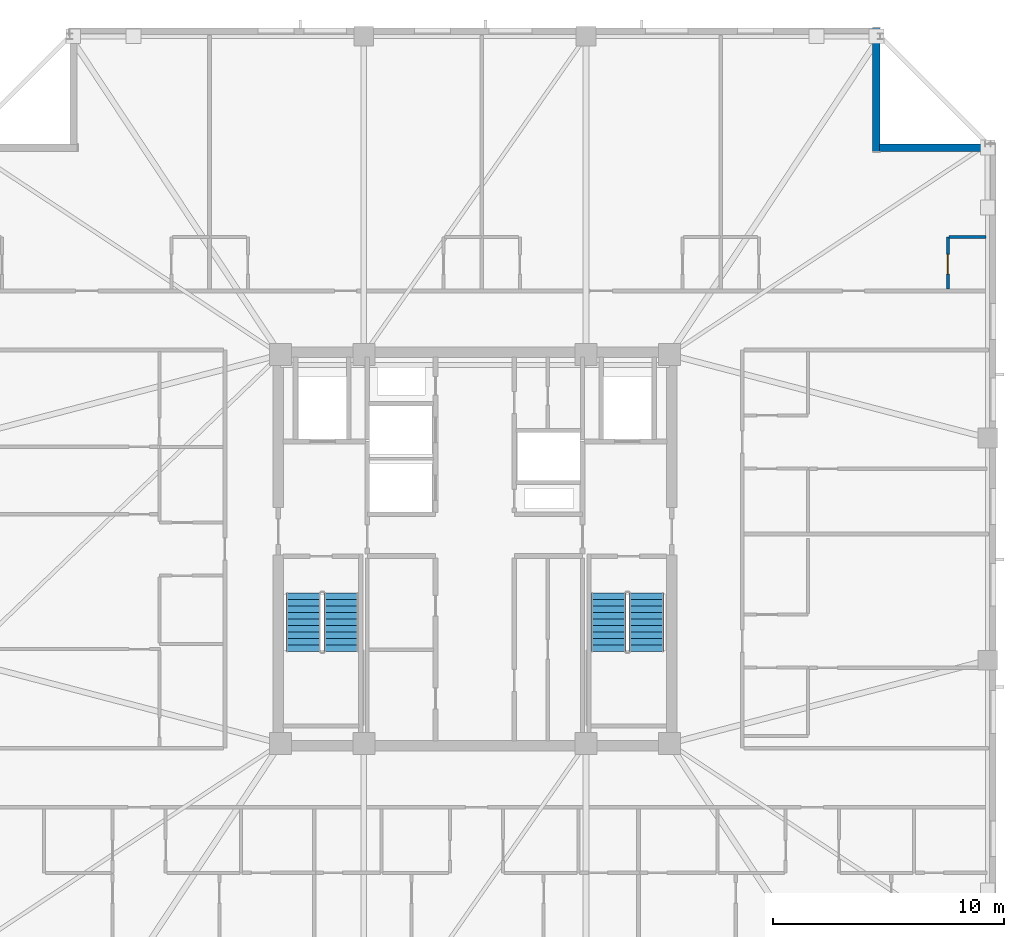
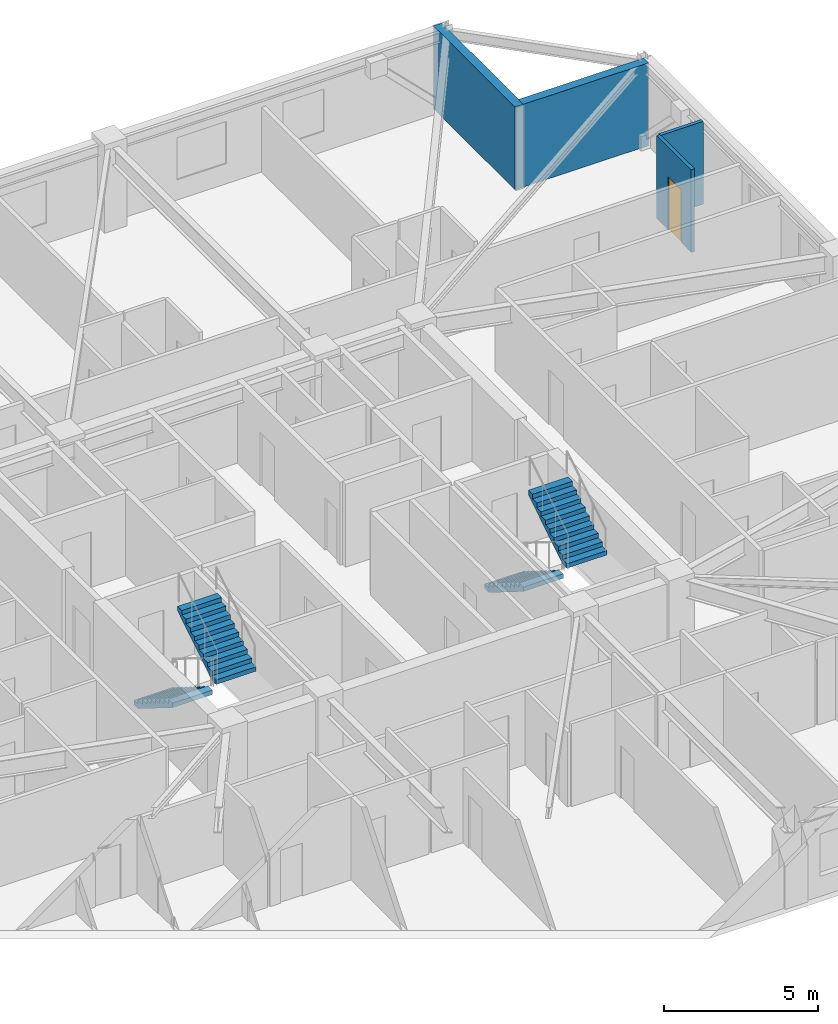
# One storey, part 12 of 17: 4 stair flights, 4 walls, 1 door, 1 opening, 2 elements without a shape of their own.
"""IFC4 building model written with IfcOpenShell, lengths in metres."""

from ifc_helpers import new_model, si_unit, direction, frame, frame_2d, origin, place, context, subcontext, project, spatial, polyline, rectangle, outline, extrude, material, layer, layer_set, type_object, element, fill, aggregate, save


model = new_model("IFC4")

# Units and contexts
model_context = context("Model", 3, precision=1e-05, world=origin(), true_north=direction((0.0, 1.0)))
body_context = subcontext(model_context, "Body", "Model", "MODEL_VIEW")
ifc_project = project(units=[si_unit("LENGTHUNIT", "METRE"), si_unit("AREAUNIT", "SQUARE_METRE"), si_unit("VOLUMEUNIT", "CUBIC_METRE"), si_unit("PLANEANGLEUNIT", "RADIAN"), si_unit("MASSUNIT", "GRAM", prefix="KILO")], contexts=[model_context])

# Site, building, storey
site_placement = place(None, origin())
site = spatial("IfcSite", under=ifc_project, at=site_placement, CompositionType="ELEMENT")
building_placement = place(site_placement, origin())
building = spatial("IfcBuilding", under=site, at=building_placement, Name="Cairnveth Concourse Tower", CompositionType="ELEMENT")
storey_placement = place(building_placement, frame((0.0, 0.0, 258.5)))
storey = spatial("IfcBuildingStorey", under=building, at=storey_placement, Name="L71", CompositionType="ELEMENT", Elevation=258.5)

# Wall, opening, door
ifc_material_1 = material(Name="Gypsum Plasterboard Partition", Category="gypsum")
ifc_layer_1 = layer(ifc_material_1, 0.1298828125)
ifc_layer_set_1 = layer_set([ifc_layer_1], Name="Gypsum Plasterboard Partition")
wall_type_1 = type_object("IfcWallType", Name="WET AREA PARTITION 140", PredefinedType="PLUMBINGWALL", material=ifc_layer_set_1)
wall_1_placement = place(storey_placement, frame((72.429931640625, 50.232421875, 0.0), z_axis=(0.0, 0.0, 1.0), x_axis=(0.0, 1.0, 0.0)))
wall_1 = element("IfcWall", 1, at=wall_1_placement, inside=storey, type_object=wall_type_1, Name="Interior Wall IW-L71-092", PredefinedType="PLUMBINGWALL", context=body_context, shape_type="SweptSolid", body=[
    extrude(rectangle(XDim=2.25, YDim=0.1298828125, at=frame_2d((1.125, 0.0))), origin(), (0.0, 0.0, 1.0), 3.2900390625),
])
opening_placement = place(wall_1_placement, frame((0.64990234375, 0.0, 0.0)))
opening = element("IfcOpeningElement", 2, at=opening_placement, cuts=wall_1, Name="Opening ID20", PredefinedType="OPENING", context=body_context, shape_type="SweptSolid", body=[
    extrude(rectangle(XDim=0.85009765625, YDim=2.10009765625, at=frame_2d((0.425048828125, 1.050048828125))), frame((0.0, 0.074951171875, 0.0), z_axis=(0.0, -1.0, 0.0), x_axis=(1.0, 0.0, 0.0)), (0.0, 0.0, 1.0), 0.14990234375),
])
ifc_material_2 = material(Name="Solid Core Hardwood Timber Leaf", Category="wood")
door_type = type_object("IfcDoorType", Name="INTERIOR SINGLE DOOR 850X2100", OperationType="NOTDEFINED", PredefinedType="DOOR", material=ifc_material_2)
door_placement = place(opening_placement, origin())
door = element("IfcDoor", 3, at=door_placement, inside=storey, type_object=door_type, Name="L71STN4 Kitchen Door", OperationType="SINGLE_SWING_LEFT", OverallHeight=2.10009765625, OverallWidth=0.85009765625, PredefinedType="DOOR", context=body_context, shape_type="SweptSolid", body=[
    extrude(rectangle(XDim=0.85009765625, YDim=2.10009765625, at=frame_2d((0.425048828125, 1.050048828125))), frame((0.0, 0.02490234375, 0.0), z_axis=(0.0, -1.0, 0.0), x_axis=(1.0, 0.0, 0.0)), (0.0, 0.0, 1.0), 0.050048828125),
])
fill(opening, door)

# Walls
wall_2_placement = place(storey_placement, frame((72.47998046875, 52.482421875, 0.0), z_axis=(0.0, 0.0, 1.0), x_axis=(1.0, 0.0, 0.0)))
element("IfcWall", 4, at=wall_2_placement, inside=storey, type_object=wall_type_1, Name="Interior Wall IW-L71-093", PredefinedType="PLUMBINGWALL", context=body_context, shape_type="SweptSolid", body=[
    extrude(rectangle(XDim=1.60009765625, YDim=0.1298828125, at=frame_2d((0.800048828125, 0.0))), origin(), (0.0, 0.0, 1.0), 3.2900390625),
])
ifc_material_3 = material(Name="Melbourne Buff Fired Clay Brick Masonry", Category="masonry")
ifc_layer_2 = layer(ifc_material_3, 0.320068359375)
ifc_layer_set_2 = layer_set([ifc_layer_2], Name="Melbourne Buff Fired Clay Brick Masonry")
wall_type_2 = type_object("IfcWallType", Name="ZONE 3 BRICK PIER SPANDREL WALL 320", PredefinedType="SOLIDWALL", material=ifc_layer_set_2)
wall_3_placement = place(storey_placement, frame((69.340087890625, 61.5, 0.0), z_axis=(0.0, 0.0, 1.0), x_axis=(0.0, -1.0, 0.0)))
element("IfcWall", 5, at=wall_3_placement, inside=storey, type_object=wall_type_2, Name="Exterior Wall EW-L71-S07", PredefinedType="SOLIDWALL", context=body_context, shape_type="SweptSolid", body=[
    extrude(rectangle(XDim=5.320068359375, YDim=0.320068359375, at=frame_2d((2.66015625, 0.0))), origin(), (0.0, 0.0, 1.0), 3.2900390625),
])
wall_4_placement = place(storey_placement, frame((69.47802734375, 56.340087890625, 0.0), z_axis=(0.0, 0.0, 1.0), x_axis=(1.0, 0.0, 0.0)))
element("IfcWall", 6, at=wall_4_placement, inside=storey, type_object=wall_type_2, Name="Exterior Wall EW-L71-S08", PredefinedType="SOLIDWALL", context=body_context, shape_type="SweptSolid", body=[
    extrude(rectangle(XDim=4.723876953125, YDim=0.320068359375, at=frame_2d((2.36181640625, 0.0))), origin(), (0.0, 0.0, 1.0), 3.2900390625),
])

# Stair, stair flights
ifc_material_4 = material(Name="Precast concrete N50 (50 MPa)", Category="concrete")
stair_type = type_object("IfcStairType", Name="CORE DOG-LEG FIRE STAIR 1500", PredefinedType="HALF_TURN_STAIR", material=ifc_material_4)
stair_1_placement = place(storey_placement, origin())
stair_1 = element("IfcStair", 7, at=stair_1_placement, inside=storey, type_object=stair_type, Name="L71 Fire-Isolated Stair ST-1", PredefinedType="HALF_TURN_STAIR")
stair_flight_type = type_object("IfcStairFlightType", Name="PRECAST CONCRETE STAIR FLIGHT 1500", PredefinedType="STRAIGHT", material=ifc_material_4)
stair_flight_1_placement = place(storey_placement, frame((44.590087890625, 37.10009765625, 0.0), z_axis=(0.0, 0.0, 1.0), x_axis=(0.0, -1.0, 0.0)))
stair_flight_1 = element("IfcStairFlight", 8, at=stair_flight_1_placement, type_object=stair_flight_type, Name="ST-1 flight 1", NumberOfRisers=10, NumberOfTreads=9, PredefinedType="STRAIGHT", RiserHeight=0.175, TreadLength=0.28, context=body_context, shape_type="SweptSolid", body=[
    extrude(outline(polyline([(0.0, 0.0), (0.0, 0.175048828125), (0.280029296875, 0.175048828125), (0.280029296875, 0.35009765625), (0.56005859375, 0.35009765625), (0.56005859375, 0.52490234375), (0.840087890625, 0.52490234375), (0.840087890625, 0.699951171875), (1.1201171875, 0.699951171875), (1.1201171875, 0.875), (1.39990234375, 0.875), (1.39990234375, 1.050048828125), (1.679931640625, 1.050048828125), (1.679931640625, 1.22509765625), (1.9599609375, 1.22509765625), (1.9599609375, 1.39990234375), (2.239990234375, 1.39990234375), (2.239990234375, 1.574951171875), (2.52001953125, 1.574951171875), (2.52001953125, 1.75), (2.52001953125, 1.398193359375), (0.28271484375, 0.0), (0.0, 0.0)])), frame((0.0, 0.75, 0.0), z_axis=(0.0, -1.0, 0.0), x_axis=(1.0, 0.0, 0.0)), (0.0, 0.0, 1.0), 1.5),
])
stair_flight_2_placement = place(storey_placement, frame((46.22998046875, 34.580078125, 1.75), z_axis=(0.0, 0.0, 1.0), x_axis=(0.0, 1.0, 0.0)))
stair_flight_2 = element("IfcStairFlight", 9, at=stair_flight_2_placement, type_object=stair_flight_type, Name="ST-1 flight 2", NumberOfRisers=10, NumberOfTreads=9, PredefinedType="STRAIGHT", RiserHeight=0.175, TreadLength=0.28, context=body_context, shape_type="SweptSolid", body=[
    extrude(outline(polyline([(0.0, 0.0), (0.0, 0.175048828125), (0.280029296875, 0.175048828125), (0.280029296875, 0.35009765625), (0.56005859375, 0.35009765625), (0.56005859375, 0.52490234375), (0.840087890625, 0.52490234375), (0.840087890625, 0.699951171875), (1.1201171875, 0.699951171875), (1.1201171875, 0.875), (1.39990234375, 0.875), (1.39990234375, 1.050048828125), (1.679931640625, 1.050048828125), (1.679931640625, 1.22509765625), (1.9599609375, 1.22509765625), (1.9599609375, 1.39990234375), (2.239990234375, 1.39990234375), (2.239990234375, 1.574951171875), (2.52001953125, 1.574951171875), (2.52001953125, 1.75), (2.52001953125, 1.398193359375), (0.28271484375, 0.0), (0.0, 0.0)])), frame((0.0, 0.75, 0.0), z_axis=(0.0, -1.0, 0.0), x_axis=(1.0, 0.0, 0.0)), (0.0, 0.0, 1.0), 1.5),
])
aggregate(stair_1, [stair_flight_1, stair_flight_2])

stair_2_placement = place(storey_placement, origin())
stair_2 = element("IfcStair", 10, at=stair_2_placement, inside=storey, type_object=stair_type, Name="L71 Fire-Isolated Stair ST-2", PredefinedType="HALF_TURN_STAIR")
stair_flight_3_placement = place(storey_placement, frame((57.77001953125, 37.10009765625, 0.0), z_axis=(0.0, 0.0, 1.0), x_axis=(0.0, -1.0, 0.0)))
stair_flight_3 = element("IfcStairFlight", 11, at=stair_flight_3_placement, type_object=stair_flight_type, Name="ST-2 flight 1", NumberOfRisers=10, NumberOfTreads=9, PredefinedType="STRAIGHT", RiserHeight=0.175, TreadLength=0.28, context=body_context, shape_type="SweptSolid", body=[
    extrude(outline(polyline([(0.0, 0.0), (0.0, 0.175048828125), (0.280029296875, 0.175048828125), (0.280029296875, 0.35009765625), (0.56005859375, 0.35009765625), (0.56005859375, 0.52490234375), (0.840087890625, 0.52490234375), (0.840087890625, 0.699951171875), (1.1201171875, 0.699951171875), (1.1201171875, 0.875), (1.39990234375, 0.875), (1.39990234375, 1.050048828125), (1.679931640625, 1.050048828125), (1.679931640625, 1.22509765625), (1.9599609375, 1.22509765625), (1.9599609375, 1.39990234375), (2.239990234375, 1.39990234375), (2.239990234375, 1.574951171875), (2.52001953125, 1.574951171875), (2.52001953125, 1.75), (2.52001953125, 1.398193359375), (0.28271484375, 0.0), (0.0, 0.0)])), frame((0.0, 0.75, 0.0), z_axis=(0.0, -1.0, 0.0), x_axis=(1.0, 0.0, 0.0)), (0.0, 0.0, 1.0), 1.5),
])
stair_flight_4_placement = place(storey_placement, frame((59.409912109375, 34.580078125, 1.75), z_axis=(0.0, 0.0, 1.0), x_axis=(0.0, 1.0, 0.0)))
stair_flight_4 = element("IfcStairFlight", 12, at=stair_flight_4_placement, type_object=stair_flight_type, Name="ST-2 flight 2", NumberOfRisers=10, NumberOfTreads=9, PredefinedType="STRAIGHT", RiserHeight=0.175, TreadLength=0.28, context=body_context, shape_type="SweptSolid", body=[
    extrude(outline(polyline([(0.0, 0.0), (0.0, 0.175048828125), (0.280029296875, 0.175048828125), (0.280029296875, 0.35009765625), (0.56005859375, 0.35009765625), (0.56005859375, 0.52490234375), (0.840087890625, 0.52490234375), (0.840087890625, 0.699951171875), (1.1201171875, 0.699951171875), (1.1201171875, 0.875), (1.39990234375, 0.875), (1.39990234375, 1.050048828125), (1.679931640625, 1.050048828125), (1.679931640625, 1.22509765625), (1.9599609375, 1.22509765625), (1.9599609375, 1.39990234375), (2.239990234375, 1.39990234375), (2.239990234375, 1.574951171875), (2.52001953125, 1.574951171875), (2.52001953125, 1.75), (2.52001953125, 1.398193359375), (0.28271484375, 0.0), (0.0, 0.0)])), frame((0.0, 0.75, 0.0), z_axis=(0.0, -1.0, 0.0), x_axis=(1.0, 0.0, 0.0)), (0.0, 0.0, 1.0), 1.5),
])
aggregate(stair_2, [stair_flight_3, stair_flight_4])

save(model, "model.ifc")
